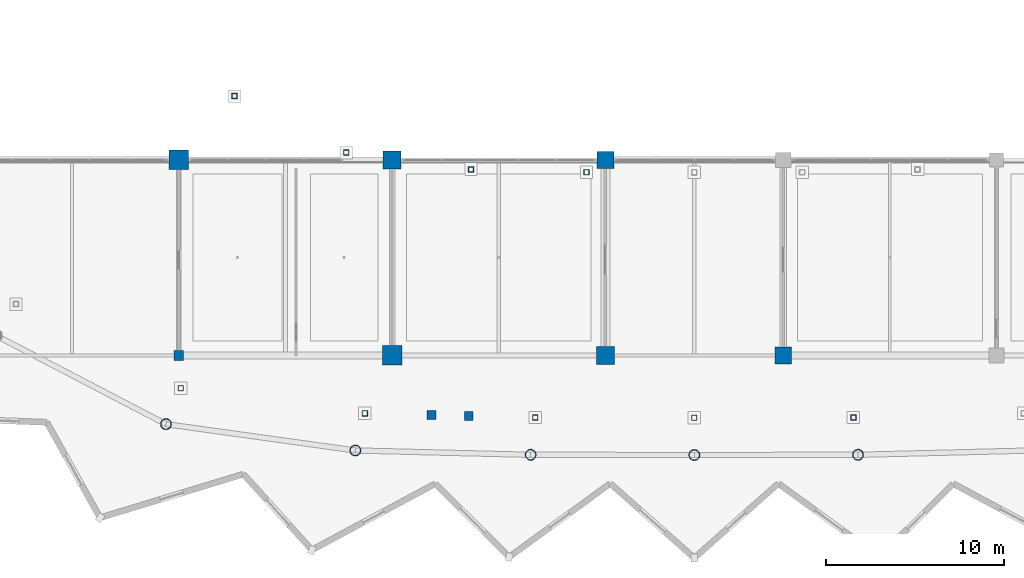
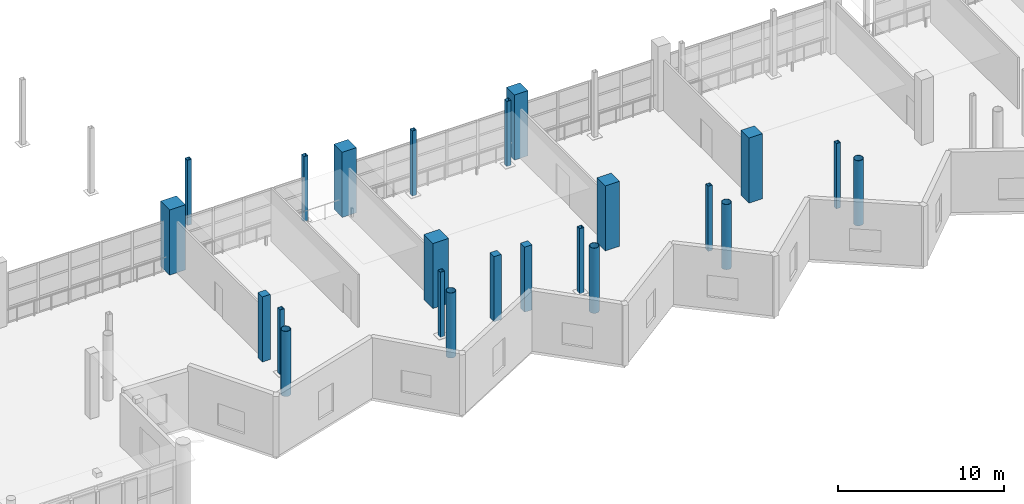
# One storey, part 5 of 143: 23 columns.
"""IFC4 building model written with IfcOpenShell, lengths in metres."""

from ifc_helpers import new_model, si_unit, direction, frame, origin, origin_2d, place, context, subcontext, project, spatial, rectangle, hollow_rectangle, hollow_circle, extrude, material, material_profile, profile_set, type_object, element, save


model = new_model("IFC4")

# Units and contexts
model_context = context("Model", 3, precision=1e-05, world=origin(), true_north=direction((0.0, 1.0)))
body_context = subcontext(model_context, "Body", "Model", "MODEL_VIEW")
ifc_project = project(units=[si_unit("LENGTHUNIT", "METRE"), si_unit("AREAUNIT", "SQUARE_METRE"), si_unit("VOLUMEUNIT", "CUBIC_METRE"), si_unit("PLANEANGLEUNIT", "RADIAN"), si_unit("MASSUNIT", "GRAM", prefix="KILO")], contexts=[model_context])

# Site, building, storey
site_placement = place(None, origin())
site = spatial("IfcSite", under=ifc_project, at=site_placement, CompositionType="ELEMENT")
building_placement = place(site_placement, origin())
building = spatial("IfcBuilding", under=site, at=building_placement, Name="Luwafu Chhajja Arena", CompositionType="ELEMENT")
storey_placement = place(building_placement, frame((0.0, 0.0, 5.39990234375)))
storey = spatial("IfcBuildingStorey", under=building, at=storey_placement, Name="L01", CompositionType="ELEMENT", Elevation=5.39990234375)

# Columns
ifc_material_1 = material(Name="Concrete C40/50", Category="concrete")
ifc_material_profile_1 = material_profile(ifc_material_1, rectangle(XDim=1.0, YDim=1.0, at=origin_2d()), Name="RC 1000x1000")
ifc_profile_set_1 = profile_set([ifc_material_profile_1], Name="Concrete C40/50")
column_type_1 = type_object("IfcColumnType", Name="Bowl Primary Column RC 1000", PredefinedType="COLUMN", material=ifc_profile_set_1)
for number, where, z_axis, x_axis, name in (
    (1, (82.0, 22.0, 0.0), (0.0, 0.0, 1.0), (1.0, 0.0, 0.0), "L01 Grid Column 8/C"),
    (2, (94.0, 11.0, 0.0), (0.0, 0.0, 1.0), (1.0, 0.0, 0.0), "L01 Grid Column 9/B"),
):
    element("IfcColumn", number, at=place(storey_placement, frame(where, z_axis=z_axis, x_axis=x_axis)), inside=storey, type_object=column_type_1, Name=name, PredefinedType="COLUMN", context=body_context, shape_type="SweptSolid", body=[
        extrude(rectangle(XDim=1.0, YDim=1.0, at=origin_2d()), origin(), (0.0, 0.0, 1.0), 4.800048828125),
    ])
ifc_material_profile_2 = material_profile(ifc_material_1, rectangle(XDim=0.949951171875, YDim=0.949951171875, at=origin_2d()), Name="RC 950x950")
ifc_profile_set_2 = profile_set([ifc_material_profile_2], Name="Concrete C40/50")
column_type_2 = type_object("IfcColumnType", Name="Bowl Raker Support Column RC 950", PredefinedType="COLUMN", material=ifc_profile_set_2)
for number, where, z_axis, x_axis, name in (
    (3, (94.0, 22.0, 0.0), (0.0, 0.0, 1.0), (1.0, 0.0, 0.0), "L01 Grid Column 9/C"),
    (4, (104.0, 11.0, 0.0), (0.0, 0.0, 1.0), (1.0, 0.0, 0.0), "L01 Grid Column 10/B"),
):
    element("IfcColumn", number, at=place(storey_placement, frame(where, z_axis=z_axis, x_axis=x_axis)), inside=storey, type_object=column_type_2, Name=name, PredefinedType="COLUMN", context=body_context, shape_type="SweptSolid", body=[
        extrude(rectangle(XDim=0.949951171875, YDim=0.949951171875, at=origin_2d()), origin(), (0.0, 0.0, 1.0), 4.800048828125),
    ])
ifc_material_profile_3 = material_profile(ifc_material_1, rectangle(XDim=1.10009765625, YDim=1.10009765625, at=origin_2d()), Name="RC 1100x1100")
ifc_profile_set_3 = profile_set([ifc_material_profile_3], Name="Concrete C40/50")
column_type_3 = type_object("IfcColumnType", Name="Bowl Rim Mega Column RC 1100", PredefinedType="COLUMN", material=ifc_profile_set_3)
for number, where, z_axis, x_axis, name in (
    (5, (70.0, 22.0, 0.0), (0.0, 0.0, 1.0), (1.0, 0.0, 0.0), "L01 Grid Column 7/C"),
    (6, (82.0, 11.0, 0.0), (0.0, 0.0, 1.0), (1.0, 0.0, 0.0), "L01 Grid Column 8/B"),
):
    element("IfcColumn", number, at=place(storey_placement, frame(where, z_axis=z_axis, x_axis=x_axis)), inside=storey, type_object=column_type_3, Name=name, PredefinedType="COLUMN", context=body_context, shape_type="SweptSolid", body=[
        extrude(rectangle(XDim=1.10009765625, YDim=1.10009765625, at=origin_2d()), origin(), (0.0, 0.0, 1.0), 4.800048828125),
    ])
ifc_material_2 = material(Name="Concrete C35/45", Category="concrete")
ifc_material_profile_4 = material_profile(ifc_material_2, rectangle(XDim=0.550048828125, YDim=0.550048828125, at=origin_2d()), Name="RC 550x550")
ifc_profile_set_4 = profile_set([ifc_material_profile_4], Name="Concrete C35/45")
column_type_4 = type_object("IfcColumnType", Name="Gallery Column RC 550", PredefinedType="COLUMN", material=ifc_profile_set_4)
column_placement = place(storey_placement, frame((70.0, 11.0, 0.0), z_axis=(0.0, 0.0, 1.0), x_axis=(1.0, 0.0, 0.0)))
element("IfcColumn", 7, at=column_placement, inside=storey, type_object=column_type_4, Name="L01 Grid Column 7/B", PredefinedType="COLUMN", context=body_context, shape_type="SweptSolid", body=[
    extrude(rectangle(XDim=0.550048828125, YDim=0.550048828125, at=origin_2d()), origin(), (0.0, 0.0, 1.0), 4.800048828125),
])
ifc_material_profile_5 = material_profile(ifc_material_2, rectangle(XDim=0.5, YDim=0.5, at=origin_2d()), Name="RC 500x500")
ifc_profile_set_5 = profile_set([ifc_material_profile_5], Name="Concrete C35/45")
column_type_5 = type_object("IfcColumnType", Name="Pavilion Column RC 500", PredefinedType="COLUMN", material=ifc_profile_set_5)
for number, where, z_axis, x_axis, name in (
    (8, (84.210205078125, 7.652587890625, 0.0), (0.0, 0.0, 1.0), (1.0, 0.0, 0.0), "L01 Vomitory Stack Column VU23A"),
    (9, (86.3095703125, 7.601806640625, 0.0), (0.0, 0.0, 1.0), (1.0, 0.0, 0.0), "L01 Vomitory Stack Column VU23B"),
):
    element("IfcColumn", number, at=place(storey_placement, frame(where, z_axis=z_axis, x_axis=x_axis)), inside=storey, type_object=column_type_5, Name=name, PredefinedType="COLUMN", context=body_context, shape_type="SweptSolid", body=[
        extrude(rectangle(XDim=0.5, YDim=0.5, at=origin_2d()), origin(), (0.0, 0.0, 1.0), 4.800048828125),
    ])
ifc_material_3 = material(Name="Steel S355", Category="steel")
ifc_material_profile_6 = material_profile(ifc_material_3, hollow_circle(Radius=0.304931640625, WallThickness=0.02490234375, at=origin_2d()), Name="CHS 610x25")
ifc_profile_set_6 = profile_set([ifc_material_profile_6], Name="Steel S355")
column_type_6 = type_object("IfcColumnType", Name="Steel Bowl Drum Column CHS 610", PredefinedType="COLUMN", material=ifc_profile_set_6)
for number, where, z_axis, x_axis, name in (
    (10, (69.281982421875, 7.13720703125, 0.0), (0.0, 0.0, 1.0), (1.0, 0.0, 0.0), "L01 Bowl Drum Column D22"),
    (11, (79.932861328125, 5.6552734375, 0.0), (0.0, 0.0, 1.0), (1.0, 0.0, 0.0), "L01 Bowl Drum Column D23"),
    (12, (89.792724609375, 5.411865234375, 0.0), (0.0, 0.0, 1.0), (1.0, 0.0, 0.0), "L01 Bowl Drum Column D24"),
    (13, (99.0, 5.39990234375, 0.0), (0.0, 0.0, 1.0), (1.0, 0.0, 0.0), "L01 Bowl Drum Column D25"),
    (14, (108.207275390625, 5.411865234375, 0.0), (0.0, 0.0, 1.0), (1.0, 0.0, 0.0), "L01 Bowl Drum Column D26"),
):
    element("IfcColumn", number, at=place(storey_placement, frame(where, z_axis=z_axis, x_axis=x_axis)), inside=storey, type_object=column_type_6, Name=name, PredefinedType="COLUMN", context=body_context, shape_type="SweptSolid", body=[
        extrude(hollow_circle(Radius=0.304931640625, WallThickness=0.02490234375, at=origin_2d()), origin(), (0.0, 0.0, 1.0), 4.800048828125),
    ])
ifc_material_profile_7 = material_profile(ifc_material_3, hollow_rectangle(XDim=0.300048828125, YDim=0.300048828125, WallThickness=0.01611328125, at=origin_2d()), Name="SHS 300x300x16")
ifc_profile_set_7 = profile_set([ifc_material_profile_7], Name="Steel S355")
column_type_7 = type_object("IfcColumnType", Name="Steel Gallery Post SHS 300", PredefinedType="COLUMN", material=ifc_profile_set_7)
for number, where, z_axis, x_axis, name in (
    (15, (73.14013671875, 25.590087890625, 0.0), (0.0, 0.0, 1.0), (1.0, 0.0, 0.0), "L01 Upper Bowl Raker Column UI21"),
    (16, (79.42333984375, 22.410888671875, 0.0), (0.0, 0.0, 1.0), (1.0, 0.0, 0.0), "L01 Upper Bowl Raker Column UI22"),
    (17, (86.439697265625, 21.463134765625, 0.0), (0.0, 0.0, 1.0), (1.0, 0.0, 0.0), "L01 Upper Bowl Raker Column UI23"),
    (18, (92.934814453125, 21.3076171875, 0.0), (0.0, 0.0, 1.0), (1.0, 0.0, 0.0), "L01 Upper Bowl Raker Column UI24"),
    (19, (70.116455078125, 9.154541015625, 0.0), (0.0, 0.0, 1.0), (1.0, 0.0, 0.0), "L01 Upper Bowl Raker Column UO22"),
    (20, (80.46826171875, 7.7431640625, 0.0), (0.0, 0.0, 1.0), (1.0, 0.0, 0.0), "L01 Upper Bowl Raker Column UO23"),
    (21, (90.051513671875, 7.51123046875, 0.0), (0.0, 0.0, 1.0), (1.0, 0.0, 0.0), "L01 Upper Bowl Raker Column UO24"),
    (22, (99.0, 7.5, 0.0), (0.0, 0.0, 1.0), (1.0, 0.0, 0.0), "L01 Upper Bowl Raker Column UO25"),
    (23, (107.948486328125, 7.51123046875, 0.0), (0.0, 0.0, 1.0), (1.0, 0.0, 0.0), "L01 Upper Bowl Raker Column UO26"),
):
    element("IfcColumn", number, at=place(storey_placement, frame(where, z_axis=z_axis, x_axis=x_axis)), inside=storey, type_object=column_type_7, Name=name, PredefinedType="COLUMN", context=body_context, shape_type="SweptSolid", body=[
        extrude(hollow_rectangle(XDim=0.300048828125, YDim=0.300048828125, WallThickness=0.01611328125, at=origin_2d()), origin(), (0.0, 0.0, 1.0), 4.800048828125),
    ])

save(model, "model.ifc")
